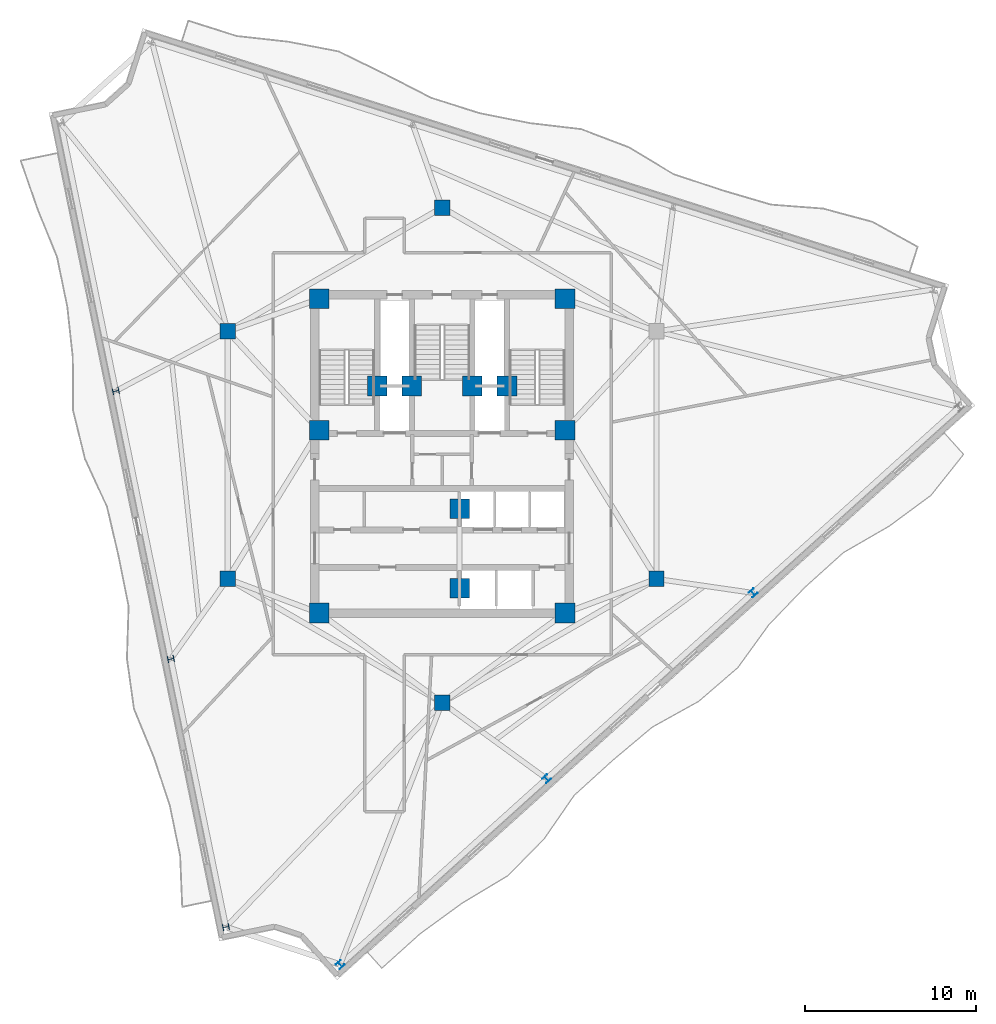
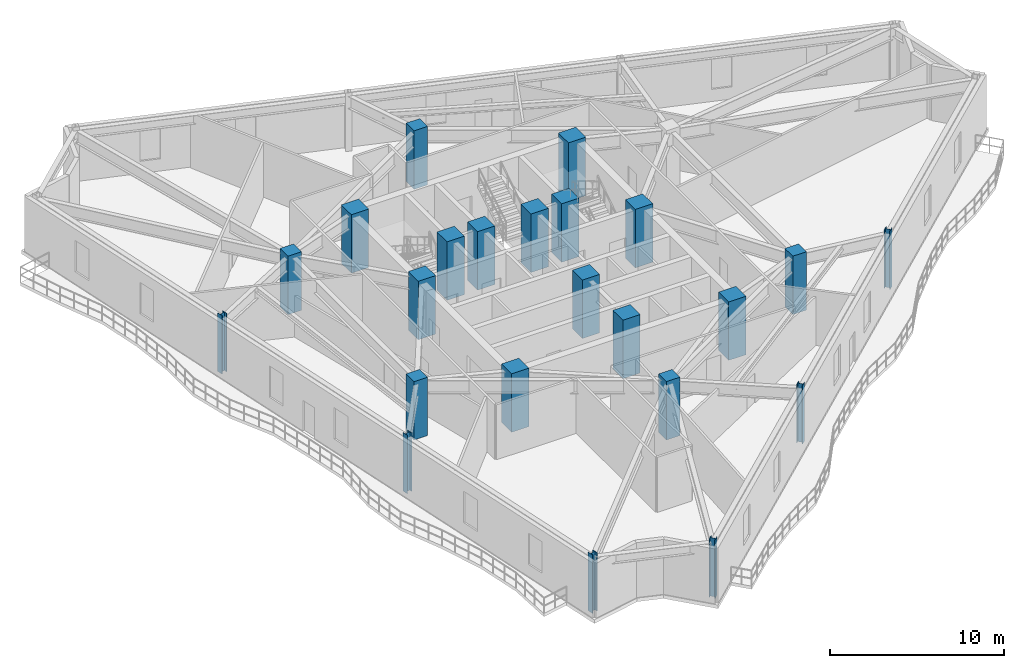
# One storey, part 1 of 12: 23 columns.
"""IFC4 building model written with IfcOpenShell, lengths in metres."""

from ifc_helpers import new_model, si_unit, direction, frame, origin, origin_2d, place, context, subcontext, project, spatial, rectangle, i_section, extrude, material, material_profile, profile_set, type_object, element, save


model = new_model("IFC4")

# Units and contexts
model_context = context("Model", 3, precision=1e-05, world=origin(), true_north=direction((0.0, 1.0)))
body_context = subcontext(model_context, "Body", "Model", "MODEL_VIEW")
ifc_project = project(units=[si_unit("LENGTHUNIT", "METRE"), si_unit("AREAUNIT", "SQUARE_METRE"), si_unit("VOLUMEUNIT", "CUBIC_METRE"), si_unit("PLANEANGLEUNIT", "RADIAN"), si_unit("MASSUNIT", "GRAM", prefix="KILO")], contexts=[model_context])

# Site, building, storey
site_placement = place(None, origin())
site = spatial("IfcSite", under=ifc_project, at=site_placement, CompositionType="ELEMENT")
building_placement = place(site_placement, origin())
building = spatial("IfcBuilding", under=site, at=building_placement, Name="Apsidion Concourse Tower", CompositionType="ELEMENT")
storey_placement = place(building_placement, frame((0.0, 0.0, 248.60009765625)))
storey = spatial("IfcBuildingStorey", under=building, at=storey_placement, Name="L58", CompositionType="ELEMENT", Elevation=248.60009765625)

# Columns
ifc_material_1 = material(Name="Concrete C50/60", Category="concrete")
ifc_material_profile_1 = material_profile(ifc_material_1, rectangle(XDim=1.14990234375, YDim=1.14990234375, at=origin_2d()), Name="RC 1150x1150")
ifc_profile_set_1 = profile_set([ifc_material_profile_1], Name="Concrete C50/60")
column_type_1 = type_object("IfcColumnType", Name="COL-RC-1150", PredefinedType="COLUMN", material=ifc_profile_set_1)
for number, where, z_axis, x_axis, name in (
    (1, (-7.199951171875, -9.25, 0.0), (0.0, 0.0, 1.0), (1.0, 0.0, 0.0), "L58 Core Super-Column SC1"),
    (2, (7.199951171875, -9.25, 0.0), (0.0, 0.0, 1.0), (1.0, 0.0, 0.0), "L58 Core Super-Column SC2"),
    (3, (7.199951171875, 1.449951171875, 0.0), (0.0, 0.0, 1.0), (1.0, 0.0, 0.0), "L58 Core Super-Column SC3"),
    (4, (7.199951171875, 9.14990234375, 0.0), (0.0, 0.0, 1.0), (1.0, 0.0, 0.0), "L58 Core Super-Column SC4"),
    (5, (-7.199951171875, 9.14990234375, 0.0), (0.0, 0.0, 1.0), (1.0, 0.0, 0.0), "L58 Core Super-Column SC5"),
    (6, (-7.199951171875, 1.449951171875, 0.0), (0.0, 0.0, 1.0), (1.0, 0.0, 0.0), "L58 Core Super-Column SC6"),
    (7, (-3.800048828125, 4.050048828125, 0.0), (0.0, 0.0, 1.0), (1.0, 0.0, 0.0), "L58 Core Super-Column CC1"),
    (8, (3.800048828125, 4.050048828125, 0.0), (0.0, 0.0, 1.0), (1.0, 0.0, 0.0), "L58 Core Super-Column CC2"),
    (9, (-1.77490234375, 4.050048828125, 0.0), (0.0, 0.0, 1.0), (1.0, 0.0, 0.0), "L58 Core Super-Column CC3"),
    (10, (1.77490234375, 4.050048828125, 0.0), (0.0, 0.0, 1.0), (1.0, 0.0, 0.0), "L58 Core Super-Column CC4"),
    (11, (1.02490234375, -3.14990234375, 0.0), (0.0, 0.0, 1.0), (1.0, 0.0, 0.0), "L58 Core Super-Column CC5"),
    (12, (1.02490234375, -7.800048828125, 0.0), (0.0, 0.0, 1.0), (1.0, 0.0, 0.0), "L58 Core Super-Column CC6"),
):
    element("IfcColumn", number, at=place(storey_placement, frame(where, z_axis=z_axis, x_axis=x_axis)), inside=storey, type_object=column_type_1, Name=name, PredefinedType="COLUMN", context=body_context, shape_type="SweptSolid", body=[
        extrude(rectangle(XDim=1.14990234375, YDim=1.14990234375, at=origin_2d()), origin(), (0.0, 0.0, 1.0), 4.099853515625),
    ])
ifc_material_profile_2 = material_profile(ifc_material_1, rectangle(XDim=0.89990234375, YDim=0.89990234375, at=origin_2d()), Name="RC 900x900")
ifc_profile_set_2 = profile_set([ifc_material_profile_2], Name="Concrete C50/60")
column_type_2 = type_object("IfcColumnType", Name="COL-RC-900", PredefinedType="COLUMN", material=ifc_profile_set_2)
for number, where, z_axis, x_axis, name in (
    (13, (-12.56005859375, -7.25, 0.0), (0.0, 0.0, 1.0), (1.0, 0.0, 0.0), "L58 Interior Spine Column IC1"),
    (14, (12.56005859375, -7.25, 0.0), (0.0, 0.0, 1.0), (1.0, 0.0, 0.0), "L58 Interior Spine Column IC2"),
    (15, (0.0, 14.5, 0.0), (0.0, 0.0, 1.0), (1.0, 0.0, 0.0), "L58 Interior Spine Column IC4"),
    (16, (-12.56005859375, 7.25, 0.0), (0.0, 0.0, 1.0), (1.0, 0.0, 0.0), "L58 Interior Spine Column IC5"),
    (17, (0.0, -14.5, 0.0), (0.0, 0.0, 1.0), (1.0, 0.0, 0.0), "L58 Interior Spine Column IC6"),
):
    element("IfcColumn", number, at=place(storey_placement, frame(where, z_axis=z_axis, x_axis=x_axis)), inside=storey, type_object=column_type_2, Name=name, PredefinedType="COLUMN", context=body_context, shape_type="SweptSolid", body=[
        extrude(rectangle(XDim=0.89990234375, YDim=0.89990234375, at=origin_2d()), origin(), (0.0, 0.0, 1.0), 4.099853515625),
    ])
ifc_material_2 = material(Name="Structural steel ASTM A992 Grade 50", Category="steel")
ifc_material_profile_3 = material_profile(ifc_material_2, i_section(OverallWidth=0.373046875, OverallDepth=0.373046875, WebThickness=0.016357421875, FlangeThickness=0.026123046875, at=origin_2d()), Name="W14X132")
ifc_profile_set_3 = profile_set([ifc_material_profile_3], Name="Structural steel ASTM A992 Grade 50")
column_type_3 = type_object("IfcColumnType", Name="COL-W14-132", PredefinedType="COLUMN", material=ifc_profile_set_3)
for number, where, z_axis, x_axis, name in (
    (18, (-19.11279296875, 3.75146484375, 0.0), (0.0, 0.0, 1.0), (-0.201248886216, 0.979540139962, 0.0), "L58 Rotated Perimeter Column PC02"),
    (19, (-15.888671875, -11.94384765625, 0.0), (0.0, 0.0, 1.0), (-0.201248886216, 0.979540139962, 0.0), "L58 Rotated Perimeter Column PC03"),
    (20, (-12.664306640625, -27.63916015625, 0.0), (0.0, 0.0, 1.0), (-0.201248886216, 0.979540139962, 0.0), "L58 Rotated Perimeter Column PC04"),
    (21, (-5.967529296875, -29.840087890625, 0.0), (0.0, 0.0, 1.0), (0.743144825477, 0.669130606359, 0.0), "L58 Rotated Perimeter Column PC05"),
    (22, (6.121826171875, -18.954833984375, 0.0), (0.0, 0.0, 1.0), (0.743144825477, 0.669130606359, 0.0), "L58 Rotated Perimeter Column PC06"),
    (23, (18.211181640625, -8.069580078125, 0.0), (0.0, 0.0, 1.0), (0.743144825477, 0.669130606359, 0.0), "L58 Rotated Perimeter Column PC07"),
):
    element("IfcColumn", number, at=place(storey_placement, frame(where, z_axis=z_axis, x_axis=x_axis)), inside=storey, type_object=column_type_3, Name=name, PredefinedType="COLUMN", context=body_context, shape_type="SweptSolid", body=[
        extrude(i_section(OverallWidth=0.373046875, OverallDepth=0.373046875, WebThickness=0.016357421875, FlangeThickness=0.026123046875, at=origin_2d()), origin(), (0.0, 0.0, 1.0), 4.099853515625),
    ])

save(model, "model.ifc")
